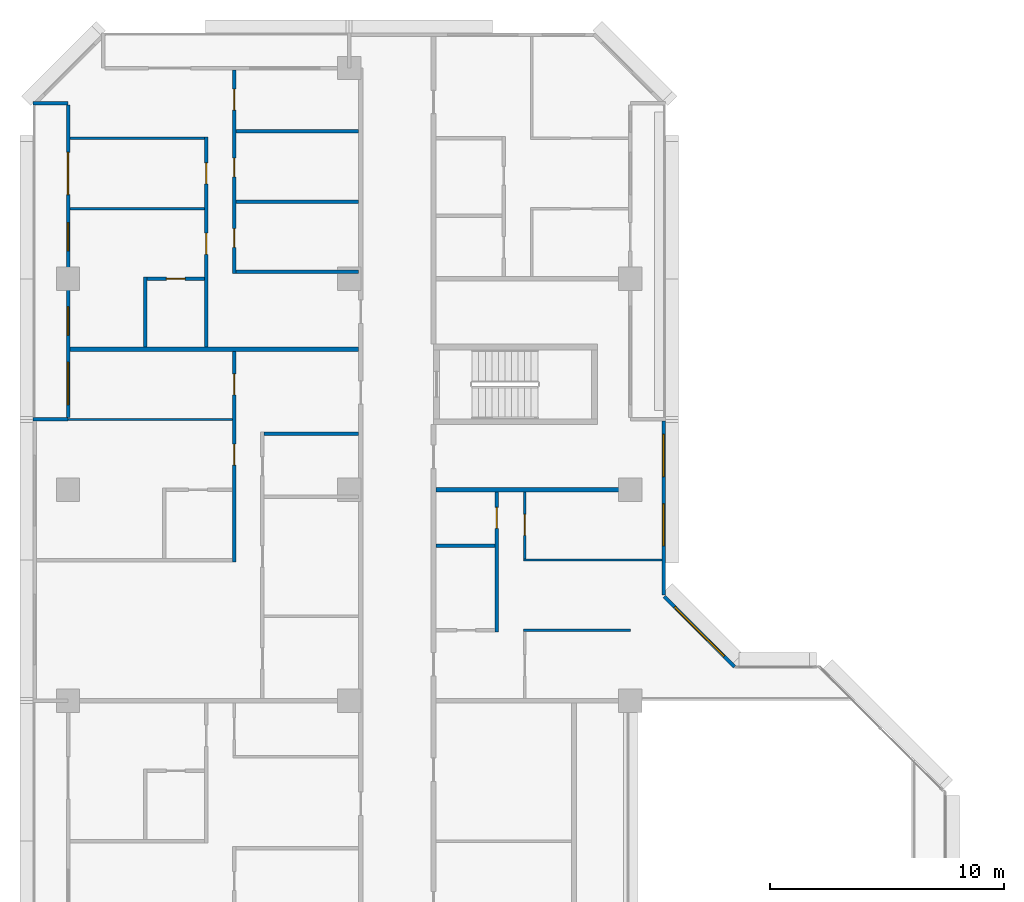
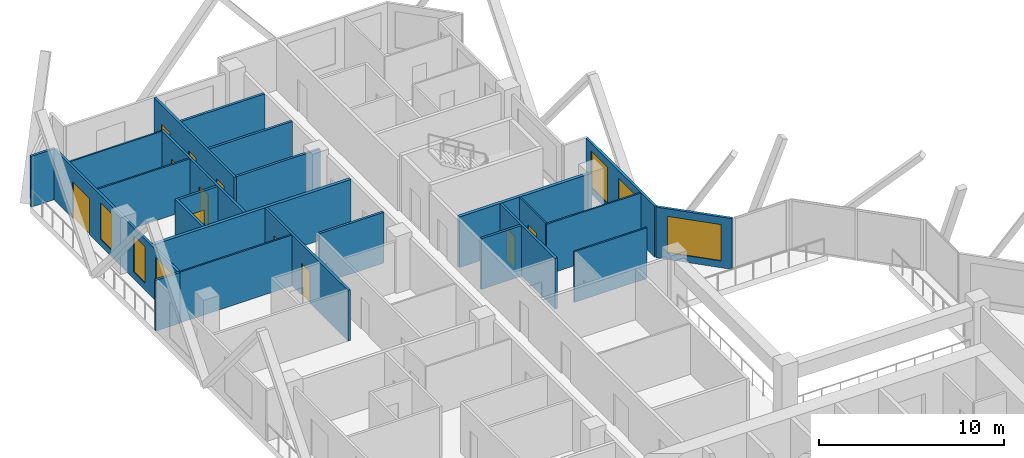
# One storey, part 9 of 14: 24 walls, 11 doors, 6 windows, 17 openings.
"""IFC4 building model written with IfcOpenShell, lengths in metres."""

from ifc_helpers import new_model, si_unit, direction, frame, frame_2d, origin, place, context, subcontext, project, spatial, rectangle, extrude, material, layer, layer_set, type_object, element, fill, save


model = new_model("IFC4")

# Units and contexts
model_context = context("Model", 3, precision=1e-05, world=origin(), true_north=direction((0.0, 1.0)))
body_context = subcontext(model_context, "Body", "Model", "MODEL_VIEW")
ifc_project = project(units=[si_unit("LENGTHUNIT", "METRE"), si_unit("AREAUNIT", "SQUARE_METRE"), si_unit("VOLUMEUNIT", "CUBIC_METRE"), si_unit("PLANEANGLEUNIT", "RADIAN"), si_unit("MASSUNIT", "GRAM", prefix="KILO")], contexts=[model_context])

# Site, building, storey
site_placement = place(None, origin())
site = spatial("IfcSite", under=ifc_project, at=site_placement, CompositionType="ELEMENT")
building_placement = place(site_placement, origin())
building = spatial("IfcBuilding", under=site, at=building_placement, Name="Chenar Terraces", CompositionType="ELEMENT")
storey_placement = place(building_placement, frame((0.0, 0.0, 91.89990234375)))
storey = spatial("IfcBuildingStorey", under=building, at=storey_placement, Name="L20", CompositionType="ELEMENT", Elevation=91.89990234375)

# Wall, openings, windows
ifc_material_1 = material(Name="Aluminium framed glazing", Category="aluminium")
ifc_layer_1 = layer(ifc_material_1, 0.14990234375)
ifc_layer_set_1 = layer_set([ifc_layer_1], Name="Aluminium framed glazing")
wall_type_1 = type_object("IfcWallType", Name="Glazed flush facade wall 150", PredefinedType="SOLIDWALL", material=ifc_layer_set_1)
wall_1_placement = place(storey_placement, frame((25.425048828125, 40.5, 0.0), z_axis=(0.0, 0.0, 1.0), x_axis=(0.0, 1.0, 0.0)))
wall_1 = element("IfcWall", 1, at=wall_1_placement, inside=storey, type_object=wall_type_1, Name="Glazed flush facade wall", PredefinedType="SOLIDWALL", context=body_context, shape_type="SweptSolid", body=[
    extrude(rectangle(XDim=7.425048828125, YDim=0.14990234375, at=frame_2d((3.71240234375, 0.0))), origin(), (0.0, 0.0, 1.0), 3.35009765625),
])
opening_1_placement = place(wall_1_placement, frame((2.10009765625, 0.0, 0.449951171875)))
opening_1 = element("IfcOpeningElement", 2, at=opening_1_placement, cuts=wall_1, Name="Opening W180x240", PredefinedType="OPENING", context=body_context, shape_type="SweptSolid", body=[
    extrude(rectangle(XDim=1.800048828125, YDim=2.39990234375, at=frame_2d((0.89990234375, 1.199951171875))), frame((0.0, 0.0849609375, 0.0), z_axis=(0.0, -1.0, 0.0), x_axis=(1.0, 0.0, 0.0)), (0.0, 0.0, 1.0), 0.169921875),
])
opening_2_placement = place(wall_1_placement, frame((5.0625, 0.0, 0.449951171875)))
opening_2 = element("IfcOpeningElement", 3, at=opening_2_placement, cuts=wall_1, Name="Opening W180x240", PredefinedType="OPENING", context=body_context, shape_type="SweptSolid", body=[
    extrude(rectangle(XDim=1.800048828125, YDim=2.39990234375, at=frame_2d((0.89990234375, 1.199951171875))), frame((0.0, 0.0849609375, 0.0), z_axis=(0.0, -1.0, 0.0), x_axis=(1.0, 0.0, 0.0)), (0.0, 0.0, 1.0), 0.169921875),
])
ifc_material_2 = material(Name="Low emissivity double glazing, aluminium frame", Category="aluminium")
window_type_1 = type_object("IfcWindowType", Name="Fixed light 1800 x 2400", PartitioningType="SINGLE_PANEL", PredefinedType="WINDOW", material=ifc_material_2)
window_1_placement = place(opening_1_placement, origin())
window_1 = element("IfcWindow", 4, at=window_1_placement, inside=storey, type_object=window_type_1, Name="Window", OverallHeight=2.39990234375, OverallWidth=1.800048828125, PartitioningType="SINGLE_PANEL", PredefinedType="WINDOW", context=body_context, shape_type="SweptSolid", body=[
    extrude(rectangle(XDim=1.800048828125, YDim=2.39990234375, at=frame_2d((0.89990234375, 1.199951171875))), frame((0.0, 0.030029296875, 0.0), z_axis=(0.0, -1.0, 0.0), x_axis=(1.0, 0.0, 0.0)), (0.0, 0.0, 1.0), 0.06005859375),
])
fill(opening_1, window_1)
window_2_placement = place(opening_2_placement, origin())
window_2 = element("IfcWindow", 5, at=window_2_placement, inside=storey, type_object=window_type_1, Name="Window", OverallHeight=2.39990234375, OverallWidth=1.800048828125, PartitioningType="SINGLE_PANEL", PredefinedType="WINDOW", context=body_context, shape_type="SweptSolid", body=[
    extrude(rectangle(XDim=1.800048828125, YDim=2.39990234375, at=frame_2d((0.89990234375, 1.199951171875))), frame((0.0, 0.030029296875, 0.0), z_axis=(0.0, -1.0, 0.0), x_axis=(1.0, 0.0, 0.0)), (0.0, 0.0, 1.0), 0.06005859375),
])
fill(opening_2, window_2)

# Wall, openings, windows, door
ifc_material_3 = material(Name="Aluminium framed glazing", Category="aluminium")
ifc_layer_2 = layer(ifc_material_3, 0.14990234375)
ifc_layer_set_2 = layer_set([ifc_layer_2], Name="Aluminium framed glazing")
wall_type_2 = type_object("IfcWallType", Name="Glazed loggia back wall 150", PredefinedType="SOLIDWALL", material=ifc_layer_set_2)
wall_2_placement = place(storey_placement, frame((0.0, 61.425048828125, 0.0), z_axis=(0.0, 0.0, 1.0), x_axis=(0.0, -1.0, 0.0)))
wall_2 = element("IfcWall", 6, at=wall_2_placement, inside=storey, type_object=wall_type_2, Name="Glazed loggia back wall", PredefinedType="SOLIDWALL", context=body_context, shape_type="SweptSolid", body=[
    extrude(rectangle(XDim=13.35009765625, YDim=0.14990234375, at=frame_2d((6.675048828125, 0.0))), origin(), (0.0, 0.0, 1.0), 3.35009765625),
])
opening_3_placement = place(wall_2_placement, frame((2.02490234375, 0.0, 0.0)))
opening_3 = element("IfcOpeningElement", 7, at=opening_3_placement, cuts=wall_2, Name="Opening DL20-G4", PredefinedType="OPENING", context=body_context, shape_type="SweptSolid", body=[
    extrude(rectangle(XDim=1.800048828125, YDim=2.39990234375, at=frame_2d((0.89990234375, 1.199951171875))), frame((0.0, 0.0849609375, 0.0), z_axis=(0.0, -1.0, 0.0), x_axis=(1.0, 0.0, 0.0)), (0.0, 0.0, 1.0), 0.169921875),
])
opening_4_placement = place(wall_2_placement, frame((5.02490234375, 0.0, 0.449951171875)))
opening_4 = element("IfcOpeningElement", 8, at=opening_4_placement, cuts=wall_2, Name="Opening W120x240", PredefinedType="OPENING", context=body_context, shape_type="SweptSolid", body=[
    extrude(rectangle(XDim=1.199951171875, YDim=2.39990234375, at=frame_2d((0.60009765625, 1.199951171875))), frame((0.0, 0.0849609375, 0.0), z_axis=(0.0, -1.0, 0.0), x_axis=(1.0, 0.0, 0.0)), (0.0, 0.0, 1.0), 0.169921875),
])
opening_5_placement = place(wall_2_placement, frame((8.625, 0.0, 0.449951171875)))
opening_5 = element("IfcOpeningElement", 9, at=opening_5_placement, cuts=wall_2, Name="Opening W120x240", PredefinedType="OPENING", context=body_context, shape_type="SweptSolid", body=[
    extrude(rectangle(XDim=1.199951171875, YDim=2.39990234375, at=frame_2d((0.60009765625, 1.199951171875))), frame((0.0, 0.0849609375, 0.0), z_axis=(0.0, -1.0, 0.0), x_axis=(1.0, 0.0, 0.0)), (0.0, 0.0, 1.0), 0.169921875),
])
opening_6_placement = place(wall_2_placement, frame((10.987548828125, 0.0, 0.449951171875)))
opening_6 = element("IfcOpeningElement", 10, at=opening_6_placement, cuts=wall_2, Name="Opening W180x240", PredefinedType="OPENING", context=body_context, shape_type="SweptSolid", body=[
    extrude(rectangle(XDim=1.800048828125, YDim=2.39990234375, at=frame_2d((0.89990234375, 1.199951171875))), frame((0.0, 0.0849609375, 0.0), z_axis=(0.0, -1.0, 0.0), x_axis=(1.0, 0.0, 0.0)), (0.0, 0.0, 1.0), 0.169921875),
])
ifc_material_4 = material(Name="Low emissivity double glazing, aluminium frame", Category="aluminium")
window_type_2 = type_object("IfcWindowType", Name="Fixed light 1200 x 2400", PartitioningType="SINGLE_PANEL", PredefinedType="WINDOW", material=ifc_material_4)
window_3_placement = place(opening_4_placement, origin())
window_3 = element("IfcWindow", 11, at=window_3_placement, inside=storey, type_object=window_type_2, Name="Window", OverallHeight=2.39990234375, OverallWidth=1.199951171875, PartitioningType="SINGLE_PANEL", PredefinedType="WINDOW", context=body_context, shape_type="SweptSolid", body=[
    extrude(rectangle(XDim=1.199951171875, YDim=2.39990234375, at=frame_2d((0.60009765625, 1.199951171875))), frame((0.0, 0.030029296875, 0.0), z_axis=(0.0, -1.0, 0.0), x_axis=(1.0, 0.0, 0.0)), (0.0, 0.0, 1.0), 0.06005859375),
])
fill(opening_4, window_3)
window_4_placement = place(opening_5_placement, origin())
window_4 = element("IfcWindow", 12, at=window_4_placement, inside=storey, type_object=window_type_2, Name="Window", OverallHeight=2.39990234375, OverallWidth=1.199951171875, PartitioningType="SINGLE_PANEL", PredefinedType="WINDOW", context=body_context, shape_type="SweptSolid", body=[
    extrude(rectangle(XDim=1.199951171875, YDim=2.39990234375, at=frame_2d((0.60009765625, 1.199951171875))), frame((0.0, 0.030029296875, 0.0), z_axis=(0.0, -1.0, 0.0), x_axis=(1.0, 0.0, 0.0)), (0.0, 0.0, 1.0), 0.06005859375),
])
fill(opening_5, window_4)
window_5_placement = place(opening_6_placement, origin())
window_5 = element("IfcWindow", 13, at=window_5_placement, inside=storey, type_object=window_type_1, Name="Window", OverallHeight=2.39990234375, OverallWidth=1.800048828125, PartitioningType="SINGLE_PANEL", PredefinedType="WINDOW", context=body_context, shape_type="SweptSolid", body=[
    extrude(rectangle(XDim=1.800048828125, YDim=2.39990234375, at=frame_2d((0.89990234375, 1.199951171875))), frame((0.0, 0.030029296875, 0.0), z_axis=(0.0, -1.0, 0.0), x_axis=(1.0, 0.0, 0.0)), (0.0, 0.0, 1.0), 0.06005859375),
])
fill(opening_6, window_5)
ifc_material_5 = material(Name="Low emissivity double glazing, aluminium frame", Category="aluminium")
door_type_1 = type_object("IfcDoorType", Name="Loggia glazed double door 1800 x 2400", OperationType="DOUBLE_DOOR_SINGLE_SWING", PredefinedType="DOOR", material=ifc_material_5)
door_1_placement = place(opening_3_placement, frame((1.800048828125, 0.0, 0.0), z_axis=(0.0, 0.0, 1.0), x_axis=(-1.0, 0.0, 0.0)))
door_1 = element("IfcDoor", 14, at=door_1_placement, inside=storey, type_object=door_type_1, Name="Loggia glazed door", OperationType="DOUBLE_DOOR_SINGLE_SWING", OverallHeight=2.39990234375, OverallWidth=1.800048828125, PredefinedType="DOOR", context=body_context, shape_type="SweptSolid", body=[
    extrude(rectangle(XDim=1.800048828125, YDim=2.39990234375, at=frame_2d((0.89990234375, 1.199951171875))), frame((0.0, 0.02490234375, 0.0), z_axis=(0.0, -1.0, 0.0), x_axis=(1.0, 0.0, 0.0)), (0.0, 0.0, 1.0), 0.050048828125),
])
fill(opening_3, door_1)

# Walls
ifc_material_6 = material(Name="Gypsum board on steel studs", Category="steel")
ifc_layer_3 = layer(ifc_material_6, 0.10009765625)
ifc_layer_set_3 = layer_set([ifc_layer_3], Name="Gypsum board on steel studs")
wall_type_3 = type_object("IfcWallType", Name="Gypsum partition 100", PredefinedType="PARTITIONING", material=ifc_layer_set_3)
wall_3_placement = place(storey_placement, frame((0.0, 48.0, 0.0), z_axis=(0.0, 0.0, 1.0), x_axis=(1.0, 0.0, 0.0)))
element("IfcWall", 15, at=wall_3_placement, inside=storey, type_object=wall_type_3, Name="Partition L20-005", PredefinedType="PARTITIONING", context=body_context, shape_type="SweptSolid", body=[
    extrude(rectangle(XDim=7.02490234375, YDim=0.10009765625, at=frame_2d((3.512451171875, 0.0))), origin(), (0.0, 0.0, 1.0), 3.35009765625),
])
for number, where, z_axis, x_axis, name in (
    (16, (0.073974609375, 57.0, 0.0), (0.0, 0.0, 1.0), (1.0, 0.0, 0.0), "Partition L20-008"),
    (17, (0.073974609375, 60.0, 0.0), (0.0, 0.0, 1.0), (1.0, 0.0, 0.0), "Partition L20-009"),
):
    element("IfcWall", number, at=place(storey_placement, frame(where, z_axis=z_axis, x_axis=x_axis)), inside=storey, type_object=wall_type_3, Name=name, PredefinedType="PARTITIONING", context=body_context, shape_type="SweptSolid", body=[
        extrude(rectangle(XDim=5.7509765625, YDim=0.10009765625, at=frame_2d((2.87548828125, 0.0))), origin(), (0.0, 0.0, 1.0), 3.35009765625),
    ])
wall_4_placement = place(storey_placement, frame((19.449951171875, 39.0, 0.0), z_axis=(0.0, 0.0, 1.0), x_axis=(1.0, 0.0, 0.0)))
element("IfcWall", 18, at=wall_4_placement, inside=storey, type_object=wall_type_3, Name="Partition L20-051", PredefinedType="PARTITIONING", context=body_context, shape_type="SweptSolid", body=[
    extrude(rectangle(XDim=4.550048828125, YDim=0.10009765625, at=frame_2d((2.27490234375, 0.0))), origin(), (0.0, 0.0, 1.0), 3.35009765625),
])
wall_5_placement = place(storey_placement, frame((19.449951171875, 42.0, 0.0), z_axis=(0.0, 0.0, 1.0), x_axis=(1.0, 0.0, 0.0)))
element("IfcWall", 19, at=wall_5_placement, inside=storey, type_object=wall_type_3, Name="Partition L20-052", PredefinedType="PARTITIONING", context=body_context, shape_type="SweptSolid", body=[
    extrude(rectangle(XDim=5.900146484375, YDim=0.10009765625, at=frame_2d((2.9501953125, 0.0))), origin(), (0.0, 0.0, 1.0), 3.35009765625),
])

# Wall, opening, door
wall_6_placement = place(storey_placement, frame((19.5, 42.050048828125, 0.0), z_axis=(0.0, 0.0, 1.0), x_axis=(0.0, 1.0, 0.0)))
wall_6 = element("IfcWall", 20, at=wall_6_placement, inside=storey, type_object=wall_type_3, Name="Partition L20-054", PredefinedType="PARTITIONING", context=body_context, shape_type="SweptSolid", body=[
    extrude(rectangle(XDim=2.849853515625, YDim=0.10009765625, at=frame_2d((1.4248046875, 0.0))), origin(), (0.0, 0.0, 1.0), 3.35009765625),
])
opening_7_placement = place(wall_6_placement, frame((1.0, 0.0, 0.0)))
opening_7 = element("IfcOpeningElement", 21, at=opening_7_placement, cuts=wall_6, Name="Opening DL20-27", PredefinedType="OPENING", context=body_context, shape_type="SweptSolid", body=[
    extrude(rectangle(XDim=0.89990234375, YDim=2.10009765625, at=frame_2d((0.449951171875, 1.050048828125))), frame((0.0, 0.06005859375, 0.0), z_axis=(0.0, -1.0, 0.0), x_axis=(1.0, 0.0, 0.0)), (0.0, 0.0, 1.0), 0.1201171875),
])
ifc_material_7 = material(Name="Veneered timber door leaf", Category="wood")
door_type_2 = type_object("IfcDoorType", Name="Door 900 x 2100", OperationType="SINGLE_SWING_LEFT", PredefinedType="DOOR", material=ifc_material_7)
door_2_placement = place(opening_7_placement, frame((0.89990234375, 0.0, 0.0), z_axis=(0.0, 0.0, 1.0), x_axis=(-1.0, 0.0, 0.0)))
door_2 = element("IfcDoor", 22, at=door_2_placement, inside=storey, type_object=door_type_2, Name="Door DL20-27", OperationType="SINGLE_SWING_LEFT", OverallHeight=2.10009765625, OverallWidth=0.89990234375, PredefinedType="DOOR", context=body_context, shape_type="SweptSolid", body=[
    extrude(rectangle(XDim=0.89990234375, YDim=2.10009765625, at=frame_2d((0.449951171875, 1.050048828125))), frame((0.0, 0.02490234375, 0.0), z_axis=(0.0, -1.0, 0.0), x_axis=(1.0, 0.0, 0.0)), (0.0, 0.0, 1.0), 0.050048828125),
])
fill(opening_7, door_2)

# Walls
ifc_material_8 = material(Name="Terracotta cladding on insulated backing", Category="masonry")
ifc_layer_4 = layer(ifc_material_8, 0.14990234375)
ifc_layer_set_4 = layer_set([ifc_layer_4], Name="Terracotta cladding on insulated backing")
wall_type_4 = type_object("IfcWallType", Name="Loggia return wall 150", PredefinedType="SOLIDWALL", material=ifc_layer_set_4)
for number, where, z_axis, x_axis, name in (
    (23, (-1.5, 61.5, 0.0), (0.0, 0.0, 1.0), (1.0, 0.0, 0.0), "Loggia return wall"),
    (24, (-1.5, 48.0, 0.0), (0.0, 0.0, 1.0), (1.0, 0.0, 0.0), "Loggia return wall"),
):
    element("IfcWall", number, at=place(storey_placement, frame(where, z_axis=z_axis, x_axis=x_axis)), inside=storey, type_object=wall_type_4, Name=name, PredefinedType="SOLIDWALL", context=body_context, shape_type="SweptSolid", body=[
        extrude(rectangle(XDim=1.5, YDim=0.14990234375, at=frame_2d((0.75, 0.0))), origin(), (0.0, 0.0, 1.0), 3.35009765625),
    ])

# Wall, opening, window
ifc_material_9 = material(Name="Terracotta cladding on insulated backing", Category="masonry")
ifc_layer_5 = layer(ifc_material_9, 0.14990234375)
ifc_layer_set_5 = layer_set([ifc_layer_5], Name="Terracotta cladding on insulated backing")
wall_type_5 = type_object("IfcWallType", Name="Terracotta rainscreen wall 150", PredefinedType="SOLIDWALL", material=ifc_layer_set_5)
wall_7_placement = place(storey_placement, frame((28.447021484375, 37.447021484375, 0.0), z_axis=(0.0, 0.0, 1.0), x_axis=(-0.707106781187, 0.707106781187, 0.0)))
wall_7 = element("IfcWall", 25, at=wall_7_placement, inside=storey, type_object=wall_type_5, Name="Terracotta rainscreen wall", PredefinedType="SOLIDWALL", context=body_context, shape_type="SweptSolid", body=[
    extrude(rectangle(XDim=4.24267578125, YDim=0.14990234375, at=frame_2d((2.121337890625, 0.0))), origin(), (0.0, 0.0, 1.0), 3.35009765625),
])
opening_8_placement = place(wall_7_placement, frame((0.621337890625, 0.0, 0.449951171875)))
opening_8 = element("IfcOpeningElement", 26, at=opening_8_placement, cuts=wall_7, Name="Opening W300x240", PredefinedType="OPENING", context=body_context, shape_type="SweptSolid", body=[
    extrude(rectangle(XDim=3.0, YDim=2.39990234375, at=frame_2d((1.5, 1.199951171875))), frame((0.0, 0.0849609375, 0.0), z_axis=(0.0, -1.0, 0.0), x_axis=(1.0, 0.0, 0.0)), (0.0, 0.0, 1.0), 0.169921875),
])
ifc_material_10 = material(Name="Low emissivity double glazing, aluminium frame", Category="aluminium")
window_type_3 = type_object("IfcWindowType", Name="Fixed light 3000 x 2400", PartitioningType="SINGLE_PANEL", PredefinedType="WINDOW", material=ifc_material_10)
window_6_placement = place(opening_8_placement, origin())
window_6 = element("IfcWindow", 27, at=window_6_placement, inside=storey, type_object=window_type_3, Name="Window", OverallHeight=2.39990234375, OverallWidth=3.0, PartitioningType="SINGLE_PANEL", PredefinedType="WINDOW", context=body_context, shape_type="SweptSolid", body=[
    extrude(rectangle(XDim=3.0, YDim=2.39990234375, at=frame_2d((1.5, 1.199951171875))), frame((0.0, 0.030029296875, 0.0), z_axis=(0.0, -1.0, 0.0), x_axis=(1.0, 0.0, 0.0)), (0.0, 0.0, 1.0), 0.06005859375),
])
fill(opening_8, window_6)

# Walls
ifc_material_11 = material(Name="Twin gypsum board on steel studs with mineral wool", Category="steel")
ifc_layer_6 = layer(ifc_material_11, 0.199951171875)
ifc_layer_set_6 = layer_set([ifc_layer_6], Name="Twin gypsum board on steel studs with mineral wool")
wall_type_6 = type_object("IfcWallType", Name="Unit demising wall 200", PredefinedType="PARTITIONING", material=ifc_layer_set_6)
wall_8_placement = place(storey_placement, frame((0.073974609375, 51.0, 0.0), z_axis=(0.0, 0.0, 1.0), x_axis=(1.0, 0.0, 0.0)))
element("IfcWall", 28, at=wall_8_placement, inside=storey, type_object=wall_type_6, Name="Partition L20-007", PredefinedType="PARTITIONING", context=body_context, shape_type="SweptSolid", body=[
    extrude(rectangle(XDim=12.325927734375, YDim=0.199951171875, at=frame_2d((6.1630859375, 0.0))), origin(), (0.0, 0.0, 1.0), 3.35009765625),
])
wall_9_placement = place(storey_placement, frame((15.699951171875, 45.0, 0.0), z_axis=(0.0, 0.0, 1.0), x_axis=(1.0, 0.0, 0.0)))
element("IfcWall", 29, at=wall_9_placement, inside=storey, type_object=wall_type_6, Name="Partition L20-045", PredefinedType="PARTITIONING", context=body_context, shape_type="SweptSolid", body=[
    extrude(rectangle(XDim=8.300048828125, YDim=0.199951171875, at=frame_2d((4.14990234375, 0.0))), origin(), (0.0, 0.0, 1.0), 3.35009765625),
])
ifc_material_12 = material(Name="Moisture-resistant gypsum board on steel studs", Category="steel")
ifc_layer_7 = layer(ifc_material_12, 0.14990234375)
ifc_layer_set_7 = layer_set([ifc_layer_7], Name="Moisture-resistant gypsum board on steel studs")
wall_type_7 = type_object("IfcWallType", Name="Wet-room partition 150", PredefinedType="PARTITIONING", material=ifc_layer_set_7)
wall_10_placement = place(storey_placement, frame((3.300048828125, 51.10009765625, 0.0), z_axis=(0.0, 0.0, 1.0), x_axis=(0.0, 1.0, 0.0)))
element("IfcWall", 30, at=wall_10_placement, inside=storey, type_object=wall_type_7, Name="Partition L20-012", PredefinedType="PARTITIONING", context=body_context, shape_type="SweptSolid", body=[
    extrude(rectangle(XDim=2.974853515625, YDim=0.14990234375, at=frame_2d((1.4873046875, 0.0))), origin(), (0.0, 0.0, 1.0), 3.35009765625),
])

# Wall, opening, door
wall_11_placement = place(storey_placement, frame((3.375, 54.0, 0.0), z_axis=(0.0, 0.0, 1.0), x_axis=(1.0, 0.0, 0.0)))
wall_11 = element("IfcWall", 31, at=wall_11_placement, inside=storey, type_object=wall_type_7, Name="Partition L20-014", PredefinedType="PARTITIONING", context=body_context, shape_type="SweptSolid", body=[
    extrude(rectangle(XDim=2.449951171875, YDim=0.14990234375, at=frame_2d((1.22509765625, 0.0))), origin(), (0.0, 0.0, 1.0), 3.35009765625),
])
opening_9_placement = place(wall_11_placement, frame((0.824951171875, 0.0, 0.0)))
opening_9 = element("IfcOpeningElement", 32, at=opening_9_placement, cuts=wall_11, Name="Opening DL20-45", PredefinedType="OPENING", context=body_context, shape_type="SweptSolid", body=[
    extrude(rectangle(XDim=0.800048828125, YDim=2.10009765625, at=frame_2d((0.39990234375, 1.050048828125))), frame((0.0, 0.0849609375, 0.0), z_axis=(0.0, -1.0, 0.0), x_axis=(1.0, 0.0, 0.0)), (0.0, 0.0, 1.0), 0.169921875),
])
ifc_material_13 = material(Name="Veneered timber door leaf", Category="wood")
door_type_3 = type_object("IfcDoorType", Name="Door 800 x 2100", OperationType="SINGLE_SWING_LEFT", PredefinedType="DOOR", material=ifc_material_13)
door_3_placement = place(opening_9_placement, frame((0.800048828125, 0.0, 0.0), z_axis=(0.0, 0.0, 1.0), x_axis=(-1.0, 0.0, 0.0)))
door_3 = element("IfcDoor", 33, at=door_3_placement, inside=storey, type_object=door_type_3, Name="Door DL20-45", OperationType="SINGLE_SWING_LEFT", OverallHeight=2.10009765625, OverallWidth=0.800048828125, PredefinedType="DOOR", context=body_context, shape_type="SweptSolid", body=[
    extrude(rectangle(XDim=0.800048828125, YDim=2.10009765625, at=frame_2d((0.39990234375, 1.050048828125))), frame((0.0, 0.02490234375, 0.0), z_axis=(0.0, -1.0, 0.0), x_axis=(1.0, 0.0, 0.0)), (0.0, 0.0, 1.0), 0.050048828125),
])
fill(opening_9, door_3)

# Wall, openings, doors
wall_12_placement = place(storey_placement, frame((5.89990234375, 51.10009765625, 0.0), z_axis=(0.0, 0.0, 1.0), x_axis=(0.0, 1.0, 0.0)))
wall_12 = element("IfcWall", 34, at=wall_12_placement, inside=storey, type_object=wall_type_7, Name="Partition L20-018", PredefinedType="PARTITIONING", context=body_context, shape_type="SweptSolid", body=[
    extrude(rectangle(XDim=8.949951171875, YDim=0.14990234375, at=frame_2d((4.47509765625, 0.0))), origin(), (0.0, 0.0, 1.0), 3.35009765625),
])
opening_10_placement = place(wall_12_placement, frame((6.949951171875, 0.0, 0.0)))
opening_10 = element("IfcOpeningElement", 35, at=opening_10_placement, cuts=wall_12, Name="Opening DL20-43", PredefinedType="OPENING", context=body_context, shape_type="SweptSolid", body=[
    extrude(rectangle(XDim=0.89990234375, YDim=2.10009765625, at=frame_2d((0.449951171875, 1.050048828125))), frame((0.0, 0.0849609375, 0.0), z_axis=(0.0, -1.0, 0.0), x_axis=(1.0, 0.0, 0.0)), (0.0, 0.0, 1.0), 0.169921875),
])
opening_11_placement = place(wall_12_placement, frame((3.949951171875, 0.0, 0.0)))
opening_11 = element("IfcOpeningElement", 36, at=opening_11_placement, cuts=wall_12, Name="Opening DL20-44", PredefinedType="OPENING", context=body_context, shape_type="SweptSolid", body=[
    extrude(rectangle(XDim=0.89990234375, YDim=2.10009765625, at=frame_2d((0.449951171875, 1.050048828125))), frame((0.0, 0.0849609375, 0.0), z_axis=(0.0, -1.0, 0.0), x_axis=(1.0, 0.0, 0.0)), (0.0, 0.0, 1.0), 0.169921875),
])
door_4_placement = place(opening_10_placement, origin())
door_4 = element("IfcDoor", 37, at=door_4_placement, inside=storey, type_object=door_type_2, Name="Door DL20-43", OperationType="SINGLE_SWING_RIGHT", OverallHeight=2.10009765625, OverallWidth=0.89990234375, PredefinedType="DOOR", context=body_context, shape_type="SweptSolid", body=[
    extrude(rectangle(XDim=0.89990234375, YDim=2.10009765625, at=frame_2d((0.449951171875, 1.050048828125))), frame((0.0, 0.02490234375, 0.0), z_axis=(0.0, -1.0, 0.0), x_axis=(1.0, 0.0, 0.0)), (0.0, 0.0, 1.0), 0.050048828125),
])
fill(opening_10, door_4)
door_5_placement = place(opening_11_placement, origin())
door_5 = element("IfcDoor", 38, at=door_5_placement, inside=storey, type_object=door_type_2, Name="Door DL20-44", OperationType="SINGLE_SWING_RIGHT", OverallHeight=2.10009765625, OverallWidth=0.89990234375, PredefinedType="DOOR", context=body_context, shape_type="SweptSolid", body=[
    extrude(rectangle(XDim=0.89990234375, YDim=2.10009765625, at=frame_2d((0.449951171875, 1.050048828125))), frame((0.0, 0.02490234375, 0.0), z_axis=(0.0, -1.0, 0.0), x_axis=(1.0, 0.0, 0.0)), (0.0, 0.0, 1.0), 0.050048828125),
])
fill(opening_11, door_5)

wall_13_placement = place(storey_placement, frame((7.10009765625, 41.925048828125, 0.0), z_axis=(0.0, 0.0, 1.0), x_axis=(0.0, 1.0, 0.0)))
wall_13 = element("IfcWall", 39, at=wall_13_placement, inside=storey, type_object=wall_type_7, Name="Partition L20-022", PredefinedType="PARTITIONING", context=body_context, shape_type="SweptSolid", body=[
    extrude(rectangle(XDim=8.974853515625, YDim=0.14990234375, at=frame_2d((4.4873046875, 0.0))), origin(), (0.0, 0.0, 1.0), 3.35009765625),
])
opening_12_placement = place(wall_13_placement, frame((7.125, 0.0, 0.0)))
opening_12 = element("IfcOpeningElement", 40, at=opening_12_placement, cuts=wall_13, Name="Opening DL20-36", PredefinedType="OPENING", context=body_context, shape_type="SweptSolid", body=[
    extrude(rectangle(XDim=0.89990234375, YDim=2.10009765625, at=frame_2d((0.449951171875, 1.050048828125))), frame((0.0, 0.0849609375, 0.0), z_axis=(0.0, -1.0, 0.0), x_axis=(1.0, 0.0, 0.0)), (0.0, 0.0, 1.0), 0.169921875),
])
opening_13_placement = place(wall_13_placement, frame((4.125, 0.0, 0.0)))
opening_13 = element("IfcOpeningElement", 41, at=opening_13_placement, cuts=wall_13, Name="Opening DL20-37", PredefinedType="OPENING", context=body_context, shape_type="SweptSolid", body=[
    extrude(rectangle(XDim=0.89990234375, YDim=2.10009765625, at=frame_2d((0.449951171875, 1.050048828125))), frame((0.0, 0.0849609375, 0.0), z_axis=(0.0, -1.0, 0.0), x_axis=(1.0, 0.0, 0.0)), (0.0, 0.0, 1.0), 0.169921875),
])
door_6_placement = place(opening_12_placement, origin())
door_6 = element("IfcDoor", 42, at=door_6_placement, inside=storey, type_object=door_type_2, Name="Door DL20-36", OperationType="SINGLE_SWING_LEFT", OverallHeight=2.10009765625, OverallWidth=0.89990234375, PredefinedType="DOOR", context=body_context, shape_type="SweptSolid", body=[
    extrude(rectangle(XDim=0.89990234375, YDim=2.10009765625, at=frame_2d((0.449951171875, 1.050048828125))), frame((0.0, 0.02490234375, 0.0), z_axis=(0.0, -1.0, 0.0), x_axis=(1.0, 0.0, 0.0)), (0.0, 0.0, 1.0), 0.050048828125),
])
fill(opening_12, door_6)
door_7_placement = place(opening_13_placement, origin())
door_7 = element("IfcDoor", 43, at=door_7_placement, inside=storey, type_object=door_type_2, Name="Door DL20-37", OperationType="SINGLE_SWING_LEFT", OverallHeight=2.10009765625, OverallWidth=0.89990234375, PredefinedType="DOOR", context=body_context, shape_type="SweptSolid", body=[
    extrude(rectangle(XDim=0.89990234375, YDim=2.10009765625, at=frame_2d((0.449951171875, 1.050048828125))), frame((0.0, 0.02490234375, 0.0), z_axis=(0.0, -1.0, 0.0), x_axis=(1.0, 0.0, 0.0)), (0.0, 0.0, 1.0), 0.050048828125),
])
fill(opening_13, door_7)

wall_14_placement = place(storey_placement, frame((7.10009765625, 54.22509765625, 0.0), z_axis=(0.0, 0.0, 1.0), x_axis=(0.0, 1.0, 0.0)))
wall_14 = element("IfcWall", 44, at=wall_14_placement, inside=storey, type_object=wall_type_7, Name="Partition L20-023", PredefinedType="PARTITIONING", context=body_context, shape_type="SweptSolid", body=[
    extrude(rectangle(XDim=8.700927734375, YDim=0.14990234375, at=frame_2d((4.3505859375, 0.0))), origin(), (0.0, 0.0, 1.0), 3.35009765625),
])
opening_14_placement = place(wall_14_placement, frame((1.125, 0.0, 0.0)))
opening_14 = element("IfcOpeningElement", 45, at=opening_14_placement, cuts=wall_14, Name="Opening DL20-42", PredefinedType="OPENING", context=body_context, shape_type="SweptSolid", body=[
    extrude(rectangle(XDim=0.800048828125, YDim=2.10009765625, at=frame_2d((0.39990234375, 1.050048828125))), frame((0.0, 0.0849609375, 0.0), z_axis=(0.0, -1.0, 0.0), x_axis=(1.0, 0.0, 0.0)), (0.0, 0.0, 1.0), 0.169921875),
])
opening_15_placement = place(wall_14_placement, frame((6.97509765625, 0.0, 0.0)))
opening_15 = element("IfcOpeningElement", 46, at=opening_15_placement, cuts=wall_14, Name="Opening DL20-46", PredefinedType="OPENING", context=body_context, shape_type="SweptSolid", body=[
    extrude(rectangle(XDim=0.89990234375, YDim=2.10009765625, at=frame_2d((0.449951171875, 1.050048828125))), frame((0.0, 0.0849609375, 0.0), z_axis=(0.0, -1.0, 0.0), x_axis=(1.0, 0.0, 0.0)), (0.0, 0.0, 1.0), 0.169921875),
])
opening_16_placement = place(wall_14_placement, frame((4.125, 0.0, 0.0)))
opening_16 = element("IfcOpeningElement", 47, at=opening_16_placement, cuts=wall_14, Name="Opening DL20-47", PredefinedType="OPENING", context=body_context, shape_type="SweptSolid", body=[
    extrude(rectangle(XDim=0.800048828125, YDim=2.10009765625, at=frame_2d((0.39990234375, 1.050048828125))), frame((0.0, 0.0849609375, 0.0), z_axis=(0.0, -1.0, 0.0), x_axis=(1.0, 0.0, 0.0)), (0.0, 0.0, 1.0), 0.169921875),
])
door_8_placement = place(opening_14_placement, frame((0.800048828125, 0.0, 0.0), z_axis=(0.0, 0.0, 1.0), x_axis=(-1.0, 0.0, 0.0)))
door_8 = element("IfcDoor", 48, at=door_8_placement, inside=storey, type_object=door_type_3, Name="Door DL20-42", OperationType="SINGLE_SWING_RIGHT", OverallHeight=2.10009765625, OverallWidth=0.800048828125, PredefinedType="DOOR", context=body_context, shape_type="SweptSolid", body=[
    extrude(rectangle(XDim=0.800048828125, YDim=2.10009765625, at=frame_2d((0.39990234375, 1.050048828125))), frame((0.0, 0.02490234375, 0.0), z_axis=(0.0, -1.0, 0.0), x_axis=(1.0, 0.0, 0.0)), (0.0, 0.0, 1.0), 0.050048828125),
])
fill(opening_14, door_8)
door_9_placement = place(opening_16_placement, frame((0.800048828125, 0.0, 0.0), z_axis=(0.0, 0.0, 1.0), x_axis=(-1.0, 0.0, 0.0)))
door_9 = element("IfcDoor", 49, at=door_9_placement, inside=storey, type_object=door_type_3, Name="Door DL20-47", OperationType="SINGLE_SWING_RIGHT", OverallHeight=2.10009765625, OverallWidth=0.800048828125, PredefinedType="DOOR", context=body_context, shape_type="SweptSolid", body=[
    extrude(rectangle(XDim=0.800048828125, YDim=2.10009765625, at=frame_2d((0.39990234375, 1.050048828125))), frame((0.0, 0.02490234375, 0.0), z_axis=(0.0, -1.0, 0.0), x_axis=(1.0, 0.0, 0.0)), (0.0, 0.0, 1.0), 0.050048828125),
])
fill(opening_16, door_9)
door_10_placement = place(opening_15_placement, frame((0.89990234375, 0.0, 0.0), z_axis=(0.0, 0.0, 1.0), x_axis=(-1.0, 0.0, 0.0)))
door_10 = element("IfcDoor", 50, at=door_10_placement, inside=storey, type_object=door_type_2, Name="Door DL20-46", OperationType="SINGLE_SWING_LEFT", OverallHeight=2.10009765625, OverallWidth=0.89990234375, PredefinedType="DOOR", context=body_context, shape_type="SweptSolid", body=[
    extrude(rectangle(XDim=0.89990234375, YDim=2.10009765625, at=frame_2d((0.449951171875, 1.050048828125))), frame((0.0, 0.02490234375, 0.0), z_axis=(0.0, -1.0, 0.0), x_axis=(1.0, 0.0, 0.0)), (0.0, 0.0, 1.0), 0.050048828125),
])
fill(opening_15, door_10)

# Walls
for number, where, z_axis, x_axis, name in (
    (51, (7.175048828125, 54.300048828125, 0.0), (0.0, 0.0, 1.0), (1.0, 0.0, 0.0), "Partition L20-026"),
    (52, (7.175048828125, 57.300048828125, 0.0), (0.0, 0.0, 1.0), (1.0, 0.0, 0.0), "Partition L20-027"),
    (53, (7.175048828125, 60.300048828125, 0.0), (0.0, 0.0, 1.0), (1.0, 0.0, 0.0), "Partition L20-028"),
):
    element("IfcWall", number, at=place(storey_placement, frame(where, z_axis=z_axis, x_axis=x_axis)), inside=storey, type_object=wall_type_7, Name=name, PredefinedType="PARTITIONING", context=body_context, shape_type="SweptSolid", body=[
        extrude(rectangle(XDim=5.224853515625, YDim=0.14990234375, at=frame_2d((2.6123046875, 0.0))), origin(), (0.0, 0.0, 1.0), 3.35009765625),
    ])
wall_15_placement = place(storey_placement, frame((8.375, 47.39990234375, 0.0), z_axis=(0.0, 0.0, 1.0), x_axis=(1.0, 0.0, 0.0)))
element("IfcWall", 54, at=wall_15_placement, inside=storey, type_object=wall_type_7, Name="Partition L20-032", PredefinedType="PARTITIONING", context=body_context, shape_type="SweptSolid", body=[
    extrude(rectangle(XDim=4.02490234375, YDim=0.14990234375, at=frame_2d((2.012451171875, 0.0))), origin(), (0.0, 0.0, 1.0), 3.35009765625),
])
wall_16_placement = place(storey_placement, frame((15.699951171875, 42.60009765625, 0.0), z_axis=(0.0, 0.0, 1.0), x_axis=(1.0, 0.0, 0.0)))
element("IfcWall", 55, at=wall_16_placement, inside=storey, type_object=wall_type_7, Name="Partition L20-044", PredefinedType="PARTITIONING", context=body_context, shape_type="SweptSolid", body=[
    extrude(rectangle(XDim=2.525146484375, YDim=0.14990234375, at=frame_2d((1.2626953125, 0.0))), origin(), (0.0, 0.0, 1.0), 3.35009765625),
])

# Wall, opening, door
wall_17_placement = place(storey_placement, frame((18.300048828125, 38.925048828125, 0.0), z_axis=(0.0, 0.0, 1.0), x_axis=(0.0, 1.0, 0.0)))
wall_17 = element("IfcWall", 56, at=wall_17_placement, inside=storey, type_object=wall_type_7, Name="Partition L20-049", PredefinedType="PARTITIONING", context=body_context, shape_type="SweptSolid", body=[
    extrude(rectangle(XDim=5.974853515625, YDim=0.14990234375, at=frame_2d((2.9873046875, 0.0))), origin(), (0.0, 0.0, 1.0), 3.35009765625),
])
opening_17_placement = place(wall_17_placement, frame((4.425048828125, 0.0, 0.0)))
opening_17 = element("IfcOpeningElement", 57, at=opening_17_placement, cuts=wall_17, Name="Opening DL20-28", PredefinedType="OPENING", context=body_context, shape_type="SweptSolid", body=[
    extrude(rectangle(XDim=0.89990234375, YDim=2.10009765625, at=frame_2d((0.449951171875, 1.050048828125))), frame((0.0, 0.0849609375, 0.0), z_axis=(0.0, -1.0, 0.0), x_axis=(1.0, 0.0, 0.0)), (0.0, 0.0, 1.0), 0.169921875),
])
door_11_placement = place(opening_17_placement, origin())
door_11 = element("IfcDoor", 58, at=door_11_placement, inside=storey, type_object=door_type_2, Name="Door DL20-28", OperationType="SINGLE_SWING_RIGHT", OverallHeight=2.10009765625, OverallWidth=0.89990234375, PredefinedType="DOOR", context=body_context, shape_type="SweptSolid", body=[
    extrude(rectangle(XDim=0.89990234375, YDim=2.10009765625, at=frame_2d((0.449951171875, 1.050048828125))), frame((0.0, 0.02490234375, 0.0), z_axis=(0.0, -1.0, 0.0), x_axis=(1.0, 0.0, 0.0)), (0.0, 0.0, 1.0), 0.050048828125),
])
fill(opening_17, door_11)

save(model, "model.ifc")
